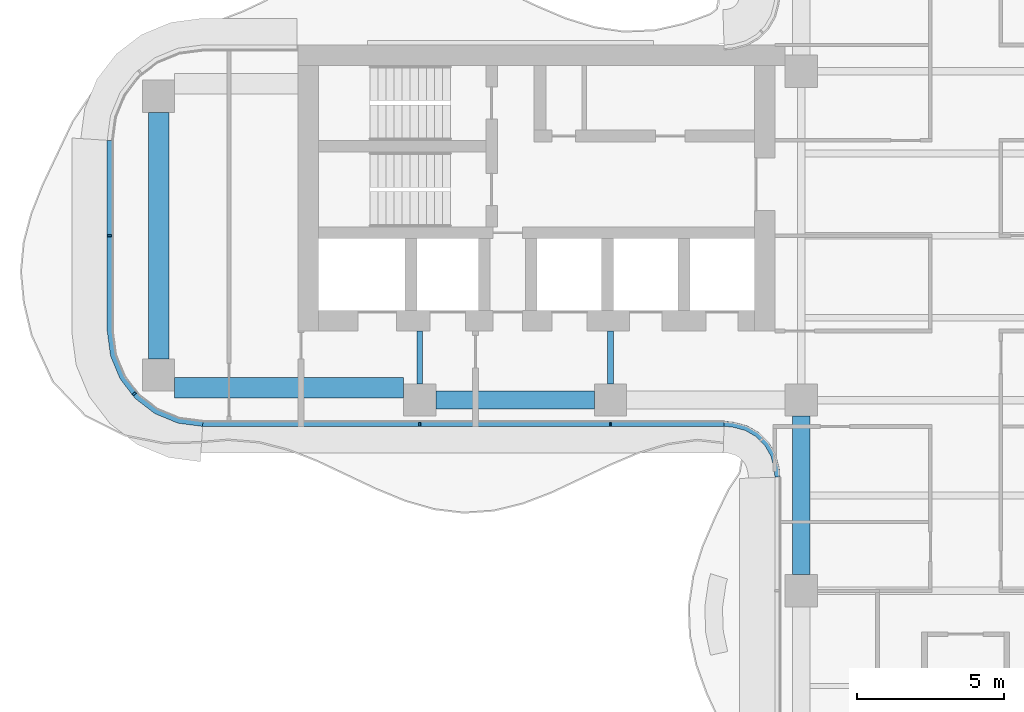
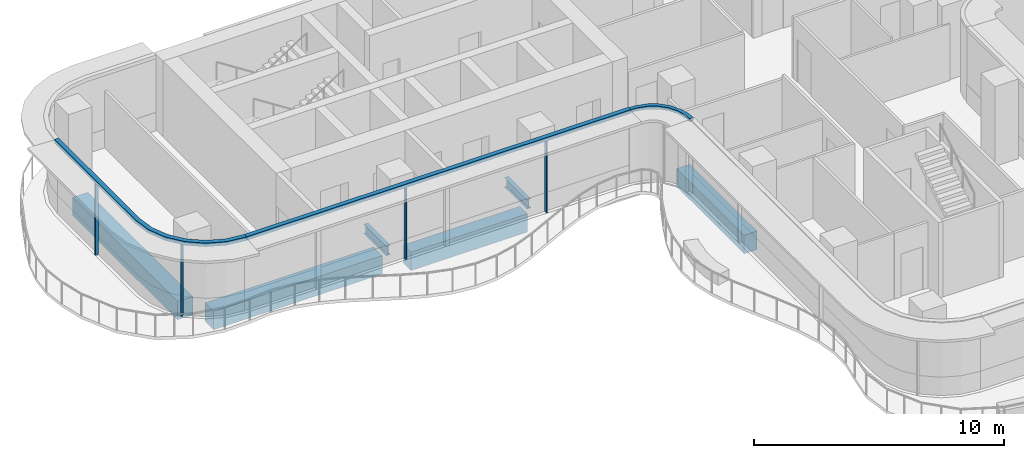
# One storey, part 3 of 18: 7 members, 6 beams, 3 elements without a shape of their own.
"""IFC4 building model written with IfcOpenShell, lengths in metres."""

from ifc_helpers import new_model, si_unit, direction, frame, origin, origin_2d, place, context, subcontext, project, spatial, polyline, rectangle, i_section, outline, extrude, source, transform, mapped, material, layer, layer_set, material_profile, profile_set, type_object, element, aggregate, save


model = new_model("IFC4")

# Units and contexts
model_context = context("Model", 3, precision=1e-05, world=origin(), true_north=direction((0.0, 1.0)))
body_context = subcontext(model_context, "Body", "Model", "MODEL_VIEW")
ifc_project = project(units=[si_unit("LENGTHUNIT", "METRE"), si_unit("AREAUNIT", "SQUARE_METRE"), si_unit("VOLUMEUNIT", "CUBIC_METRE"), si_unit("PLANEANGLEUNIT", "RADIAN"), si_unit("MASSUNIT", "GRAM", prefix="KILO")], contexts=[model_context])

# Site, building, storey
site_placement = place(None, origin())
site = spatial("IfcSite", under=ifc_project, at=site_placement, CompositionType="ELEMENT")
building_placement = place(site_placement, origin())
building = spatial("IfcBuilding", under=site, at=building_placement, Name="Trellis Farm Tower", CompositionType="ELEMENT")
storey_placement = place(building_placement, frame((0.0, 0.0, 224.60009765625)))
storey = spatial("IfcBuildingStorey", under=building, at=storey_placement, Name="L49", CompositionType="ELEMENT", Elevation=224.60009765625)

# Beams
ifc_material_1 = material(Name="Steel S355", Category="steel")
ifc_material_profile_1 = material_profile(ifc_material_1, i_section(OverallWidth=0.1904296875, OverallDepth=0.45703125, WebThickness=0.009033203125, FlangeThickness=0.014404296875, FilletRadius=0.01025390625, at=origin_2d()), Name="UB 457x191x74")
ifc_profile_set_1 = profile_set([ifc_material_profile_1], Name="Steel S355")
beam_type_1 = type_object("IfcBeamType", Name="UB 457x191x74", PredefinedType="BEAM", material=ifc_profile_set_1)
shared_shape_1 = source(origin(), body_context, "Body", "SweptSolid", [
    extrude(i_section(OverallWidth=0.1904296875, OverallDepth=0.45703125, WebThickness=0.009033203125, FlangeThickness=0.014404296875, FilletRadius=0.01025390625, at=origin_2d()), origin(), (0.0, 0.0, 1.0), 1.800048828125),
])
for number, where, z_axis, x_axis, name in (
    (1, (-18.60009765625, -5.050048828125, -0.4287109375), (0.0, 1.0, 0.0), (-1.0, 0.0, 0.0), "Girder"),
    (2, (-12.10009765625, -5.050048828125, -0.4287109375), (0.0, 1.0, 0.0), (-1.0, 0.0, 0.0), "Girder"),
):
    element("IfcBeam", number, at=place(storey_placement, frame(where, z_axis=z_axis, x_axis=x_axis)), inside=storey, type_object=beam_type_1, Name=name, PredefinedType="BEAM", context=body_context, shape_type="MappedRepresentation", body=[
        mapped(shared_shape_1, transform((0.0, 0.0, 0.0))),
    ])
ifc_material_2 = material(Name="Concrete C60/75", Category="concrete")
ifc_material_profile_2 = material_profile(ifc_material_2, rectangle(XDim=0.60009765625, YDim=0.89990234375, at=origin_2d()), Name="RC spandrel beam 600x900 C60/75")
ifc_profile_set_2 = profile_set([ifc_material_profile_2], Name="Concrete C60/75")
beam_type_2 = type_object("IfcBeamType", Name="RC spandrel beam 600x900 C60/75", PredefinedType="SPANDREL", material=ifc_profile_set_2)
shared_shape_2 = source(origin(), body_context, "Body", "SweptSolid", [
    extrude(rectangle(XDim=0.60009765625, YDim=0.89990234375, at=origin_2d()), origin(), (0.0, 0.0, 1.0), 5.400146484375),
])
for number, where, z_axis, x_axis, name in (
    (3, (-18.050048828125, -5.60009765625, -0.650146484375), (1.0, 0.0, 0.0), (0.0, 1.0, 0.0), "Girder"),
    (4, (-5.60009765625, -11.550048828125, -0.650146484375), (0.0, 1.0, 0.0), (-1.0, 0.0, 0.0), "Girder"),
):
    element("IfcBeam", number, at=place(storey_placement, frame(where, z_axis=z_axis, x_axis=x_axis)), inside=storey, type_object=beam_type_2, Name=name, PredefinedType="SPANDREL", context=body_context, shape_type="MappedRepresentation", body=[
        mapped(shared_shape_2, transform((0.0, 0.0, 0.0))),
    ])
ifc_material_profile_3 = material_profile(ifc_material_2, rectangle(XDim=0.699951171875, YDim=0.89990234375, at=origin_2d()), Name="RC spandrel beam 700x900 C60/75")
ifc_profile_set_3 = profile_set([ifc_material_profile_3], Name="Concrete C60/75")
beam_type_3 = type_object("IfcBeamType", Name="RC spandrel beam 700x900 C60/75", PredefinedType="SPANDREL", material=ifc_profile_set_3)
shared_shape_3 = source(origin(), body_context, "Body", "SweptSolid", [
    extrude(rectangle(XDim=0.699951171875, YDim=0.89990234375, at=origin_2d()), origin(), (0.0, 0.0, 1.0), 8.39990234375),
])
beam_1_placement = place(storey_placement, frame((-27.5, -4.199951171875, -0.650146484375), z_axis=(0.0, 1.0, 0.0), x_axis=(-1.0, 0.0, 0.0)))
element("IfcBeam", 5, at=beam_1_placement, inside=storey, type_object=beam_type_3, Name="Girder", PredefinedType="SPANDREL", context=body_context, shape_type="MappedRepresentation", body=[
    mapped(shared_shape_3, transform((0.0, 0.0, 0.0))),
])
shared_shape_4 = source(origin(), body_context, "Body", "SweptSolid", [
    extrude(rectangle(XDim=0.699951171875, YDim=0.89990234375, at=origin_2d()), origin(), (0.0, 0.0, 1.0), 7.800048828125),
])
beam_2_placement = place(storey_placement, frame((-26.949951171875, -5.175048828125, -0.650146484375), z_axis=(1.0, 0.0, 0.0), x_axis=(0.0, 1.0, 0.0)))
element("IfcBeam", 6, at=beam_2_placement, inside=storey, type_object=beam_type_3, Name="Girder", PredefinedType="SPANDREL", context=body_context, shape_type="MappedRepresentation", body=[
    mapped(shared_shape_4, transform((0.0, 0.0, 0.0))),
])

# Curtain wall, members
ifc_material_3 = material(Name="Aluminium and glass curtain wall", Category="aluminium")
ifc_layer_1 = layer(ifc_material_3, 0.18994140625)
ifc_layer_set_1 = layer_set([ifc_layer_1], Name="RIBBON CURTAIN WALL CW1")
curtain_wall_type_1 = type_object("IfcCurtainWallType", Name="RIBBON CURTAIN WALL CW1", PredefinedType="NOTDEFINED", material=ifc_layer_set_1)
placement_1 = place(storey_placement, origin())
curtain_wall_1 = element("IfcCurtainWall", 7, at=placement_1, inside=storey, type_object=curtain_wall_type_1, Name="CW1 001", PredefinedType="NOTDEFINED")
ifc_material_4 = material(Name="Aluminium extrusion 6063-T6", Category="aluminium")
ifc_material_profile_4 = material_profile(ifc_material_4, rectangle(XDim=0.06005859375, YDim=0.14990234375, at=origin_2d()), Name="MULLION 60x150")
ifc_profile_set_4 = profile_set([ifc_material_profile_4], Name="Aluminium extrusion 6063-T6")
member_type_1 = type_object("IfcMemberType", Name="CW1 MULLION 60x150", PredefinedType="MULLION", material=ifc_profile_set_4)
shared_shape_5 = source(origin(), body_context, "Body", "SweptSolid", [
    extrude(rectangle(XDim=0.06005859375, YDim=0.14990234375, at=origin_2d()), origin(), (0.0, 0.0, 1.0), 3.52001953125),
])
member_1_placement = place(storey_placement, frame((-18.60009765625, -6.425048828125, 0.0), z_axis=(0.0, 0.0, 1.0), x_axis=(1.0, 0.0, 0.0)))
member_1 = element("IfcMember", 8, at=member_1_placement, type_object=member_type_1, Name="MU1 001-01", PredefinedType="MULLION", context=body_context, shape_type="MappedRepresentation", body=[
    mapped(shared_shape_5, transform((0.0, 0.0, 0.0))),
])
member_2_placement = place(storey_placement, frame((-12.10009765625, -6.425048828125, 0.0), z_axis=(0.0, 0.0, 1.0), x_axis=(1.0, 0.0, 0.0)))
member_2 = element("IfcMember", 9, at=member_2_placement, type_object=member_type_1, Name="MU1 001-02", PredefinedType="MULLION", context=body_context, shape_type="MappedRepresentation", body=[
    mapped(shared_shape_5, transform((0.0, 0.0, 0.0))),
])

curtain_wall_2 = element("IfcCurtainWall", 10, at=placement_1, inside=storey, type_object=curtain_wall_type_1, Name="CW1 013", PredefinedType="NOTDEFINED")
member_3_placement = place(storey_placement, frame((-29.175048828125, 0.0, 0.0), z_axis=(0.0, 0.0, 1.0), x_axis=(0.0, -1.0, 0.0)))
member_3 = element("IfcMember", 11, at=member_3_placement, type_object=member_type_1, Name="MU1 013-01", PredefinedType="MULLION", context=body_context, shape_type="MappedRepresentation", body=[
    mapped(shared_shape_5, transform((0.0, 0.0, 0.0))),
])
member_4_placement = place(storey_placement, frame((-28.328369140625, -5.385498046875, 0.0), z_axis=(0.0, 0.0, 1.0), x_axis=(0.608761429009, -0.793353340291, 0.0)))
member_4 = element("IfcMember", 12, at=member_4_placement, type_object=member_type_1, Name="MU1 013-02", PredefinedType="MULLION", context=body_context, shape_type="MappedRepresentation", body=[
    mapped(shared_shape_5, transform((0.0, 0.0, 0.0))),
])

# Member
ifc_layer_2 = layer(ifc_material_4, 0.199951171875)
ifc_layer_set_2 = layer_set([ifc_layer_2], Name="Aluminium extrusion 6063-T6")
member_type_2 = type_object("IfcMemberType", Name="CW1 TRANSOM 200x180", PredefinedType="USERDEFINED", material=ifc_layer_set_2)
shared_shape_6 = source(origin(), body_context, "Body", "SweptSolid", [
    extrude(outline(polyline([(-26.0, -6.5), (-8.2314453125, -6.5), (-8.224853515625, -6.300048828125), (-25.98681640625, -6.300048828125), (-26.0, -6.5)])), origin(), (0.0, 0.0, 1.0), 0.179931640625),
])
placement_2 = place(storey_placement, frame((0.0, 0.0, 3.52001953125)))
member_5 = element("IfcMember", 13, at=placement_2, type_object=member_type_2, Name="TR1 001", ObjectType="TRANSOM", PredefinedType="USERDEFINED", context=body_context, shape_type="MappedRepresentation", body=[
    mapped(shared_shape_6, transform((0.0, 0.0, 0.0))),
])

aggregate(curtain_wall_1, [member_1, member_2, member_5])

shared_shape_7 = source(origin(), body_context, "Body", "SweptSolid", [
    extrude(outline(polyline([(-29.25, 3.25), (-29.25, -3.25), (-29.13916015625, -4.091064453125), (-28.814697265625, -4.875), (-28.298095703125, -5.548095703125), (-27.625, -6.064697265625), (-26.841064453125, -6.38916015625), (-26.0, -6.5), (-25.98681640625, -6.300048828125), (-26.7890625, -6.1943359375), (-27.524169921875, -5.889892578125), (-28.155517578125, -5.405517578125), (-28.639892578125, -4.774169921875), (-28.9443359375, -4.0390625), (-29.050048828125, -3.23681640625), (-29.050048828125, 3.23681640625), (-29.25, 3.25)])), origin(), (0.0, 0.0, 1.0), 0.179931640625),
])
member_6 = element("IfcMember", 14, at=placement_2, type_object=member_type_2, Name="TR1 013", ObjectType="TRANSOM", PredefinedType="USERDEFINED", context=body_context, shape_type="MappedRepresentation", body=[
    mapped(shared_shape_7, transform((0.0, 0.0, 0.0))),
])

aggregate(curtain_wall_2, [member_3, member_4, member_6])

# Curtain wall, member
ifc_layer_3 = layer(ifc_material_3, 0.166015625)
ifc_layer_set_3 = layer_set([ifc_layer_3], Name="WINTER GARDEN CURTAIN WALL CW3")
curtain_wall_type_2 = type_object("IfcCurtainWallType", Name="WINTER GARDEN CURTAIN WALL CW3", PredefinedType="NOTDEFINED", material=ifc_layer_set_3)
curtain_wall_3 = element("IfcCurtainWall", 15, at=placement_1, inside=storey, type_object=curtain_wall_type_2, Name="CW3 001", PredefinedType="NOTDEFINED")
ifc_layer_4 = layer(ifc_material_4, 0.169921875)
ifc_layer_set_4 = layer_set([ifc_layer_4], Name="Aluminium extrusion 6063-T6")
member_type_3 = type_object("IfcMemberType", Name="CW3 TRANSOM 170x150", PredefinedType="USERDEFINED", material=ifc_layer_set_4)
shared_shape_8 = source(origin(), body_context, "Body", "SweptSolid", [
    extrude(outline(polyline([(-8.2314453125, -6.5), (-8.01953125, -6.513916015625), (-7.91552734375, -6.527587890625), (-7.508544921875, -6.63671875), (-7.144287109375, -6.846923828125), (-6.846923828125, -7.144287109375), (-6.63671875, -7.508544921875), (-6.527587890625, -7.91552734375), (-6.513916015625, -8.01953125), (-6.5, -8.2314453125), (-6.330078125, -8.225830078125), (-6.3447265625, -8.0029296875), (-6.360595703125, -7.88232421875), (-6.478271484375, -7.44287109375), (-6.7109375, -7.0400390625), (-7.0400390625, -6.7109375), (-7.44287109375, -6.478271484375), (-7.88232421875, -6.360595703125), (-8.0029296875, -6.3447265625), (-8.225830078125, -6.330078125), (-8.2314453125, -6.5)])), origin(), (0.0, 0.0, 1.0), 0.150146484375),
])
member_7_placement = place(storey_placement, frame((0.0, 0.0, 3.5498046875)))
member_7 = element("IfcMember", 16, at=member_7_placement, type_object=member_type_3, Name="TR3 001", ObjectType="TRANSOM", PredefinedType="USERDEFINED", context=body_context, shape_type="MappedRepresentation", body=[
    mapped(shared_shape_8, transform((0.0, 0.0, 0.0))),
])
aggregate(curtain_wall_3, [member_7])

save(model, "model.ifc")
